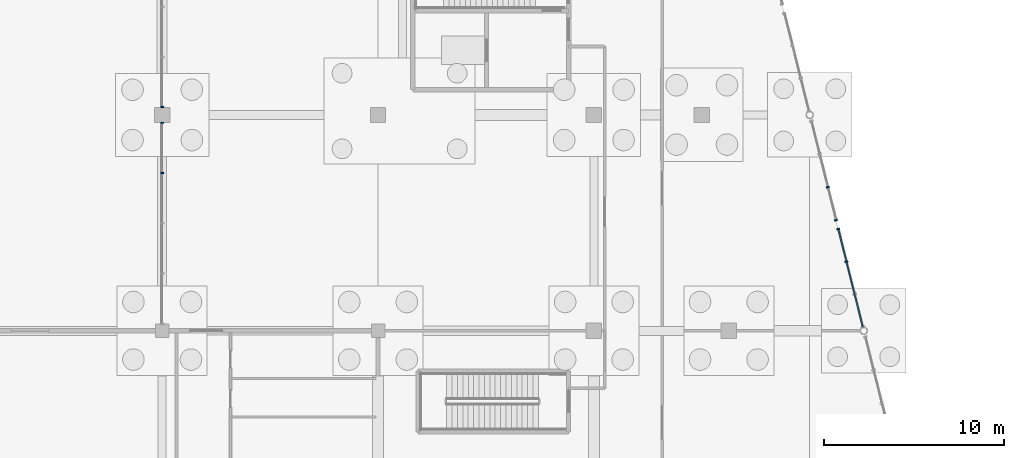
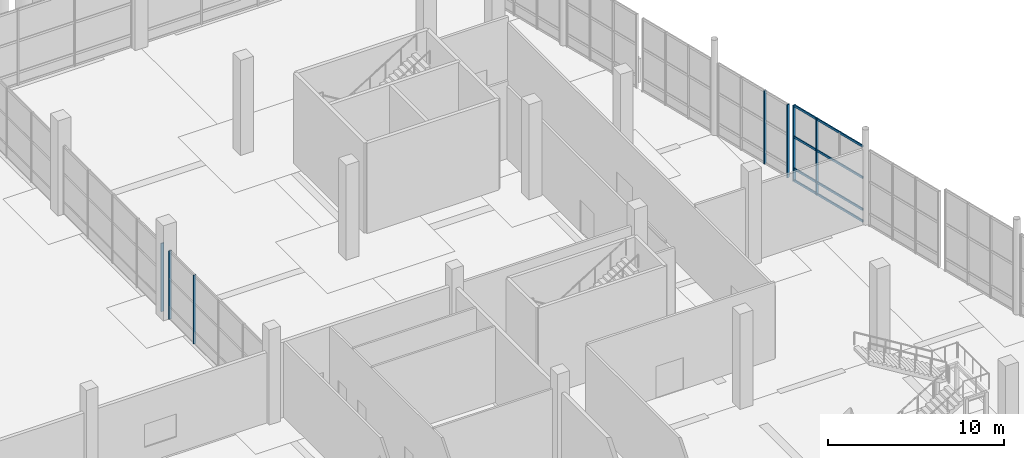
# One storey, part 52 of 117: 11 members, 4 elements without a shape of their own.
"""IFC4 building model written with IfcOpenShell, lengths in metres."""

import ifcopenshell
import ifcopenshell.guid

model = None  # the IFC model being written
_history = None  # IfcOwnerHistory: only IFC2X3 demands one
_inside = {}  # id of a spatial element -> (the spatial element, [elements in it])
_under = {}  # id of a project, library or spatial element -> (it, [spatial elements below it])
_declared = {}  # id of a project -> (the project, [libraries it declares])
_typed = {}  # id of a type object -> (the type object, [elements of that type])
_made_of = {}  # id of a material, layer set ... -> (it, [elements and type objects made of it])


def new_model(schema):
    """Start an empty IFC model of exactly this schema.

    Asked for "IFC4X3", IfcOpenShell would pick the latest addendum, in which some entities
    have other attributes; the version numbers below select the first issue.
    IFC2X3 requires an IfcOwnerHistory on every rooted entity: one is made here for all.
    """
    global model, _history
    if schema == "IFC4X3":
        model = ifcopenshell.file(schema_version=(4, 3, 0, 0))
    else:
        model = ifcopenshell.file(schema=schema)
    _inside.clear()
    _under.clear()
    _declared.clear()
    _typed.clear()
    _made_of.clear()
    _history = None
    if model.schema == "IFC2X3":
        org = make("IfcOrganization", Name="unknown")
        user = make(
            "IfcPersonAndOrganization",
            ThePerson=make("IfcPerson", FamilyName="unknown"),
            TheOrganization=org,
        )
        app = make(
            "IfcApplication",
            ApplicationDeveloper=org,
            Version="unknown",
            ApplicationFullName="unknown",
            ApplicationIdentifier="unknown",
        )
        _history = make(
            "IfcOwnerHistory",
            OwningUser=user,
            OwningApplication=app,
            ChangeAction="ADDED",
            CreationDate=0,
        )
    return model


def make(cls, **values):
    """One entity of the class cls with the attributes given. An attribute that is None is left unset."""
    return model.create_entity(
        cls, **{name: value for name, value in values.items() if value is not None}
    )


def rooted(cls, **values):
    """An entity with a GlobalId (a new one), such as an element, a storey or a relation."""
    return make(cls, GlobalId=ifcopenshell.guid.new(), OwnerHistory=_history, **values)


def si_unit(unit_type, name, prefix=None):
    """IfcSIUnit, for example si_unit("LENGTHUNIT", "METRE", prefix="MILLI")."""
    return make("IfcSIUnit", UnitType=unit_type, Prefix=prefix, Name=name)


def assignment(units):
    """IfcUnitAssignment: the units of a project."""
    return None if units is None else make("IfcUnitAssignment", Units=units)


def point(xyz):
    """IfcCartesianPoint."""
    return None if xyz is None else make("IfcCartesianPoint", Coordinates=xyz)


def direction(xyz):
    """IfcDirection."""
    return None if xyz is None else make("IfcDirection", DirectionRatios=xyz)


def frame(location, z_axis=None, x_axis=None):
    """IfcAxis2Placement3D, a coordinate frame: its origin and axes. An axis left out is left unset."""
    return make(
        "IfcAxis2Placement3D",
        Location=point(location),
        Axis=direction(z_axis),
        RefDirection=direction(x_axis),
    )


def frame_2d(location, x_axis=None):
    """IfcAxis2Placement2D, a coordinate frame in the plane: its origin and x axis."""
    return make(
        "IfcAxis2Placement2D", Location=point(location), RefDirection=direction(x_axis)
    )


def origin():
    """The frame at (0, 0, 0) with its axes left unset."""
    return frame((0.0, 0.0, 0.0))


def origin_2d():
    """The frame at (0, 0) in the plane with its x axis left unset."""
    return frame_2d((0.0, 0.0))


def place(relative_to, where):
    """IfcLocalPlacement: puts the frame where relative to a parent placement (None: the world)."""
    return make(
        "IfcLocalPlacement", PlacementRelTo=relative_to, RelativePlacement=where
    )


def context(
    kind, dimensions, precision=None, world=None, true_north=None, identifier=None
):
    """IfcGeometricRepresentationContext, for example the 3D "Model" context."""
    return make(
        "IfcGeometricRepresentationContext",
        ContextIdentifier=identifier,
        ContextType=kind,
        CoordinateSpaceDimension=dimensions,
        Precision=precision,
        WorldCoordinateSystem=world,
        TrueNorth=true_north,
    )


def subcontext(parent, identifier, kind, view, scale=None):
    """IfcGeometricRepresentationSubContext, for example "Body" below "Model"."""
    return make(
        "IfcGeometricRepresentationSubContext",
        ContextIdentifier=identifier,
        ContextType=kind,
        ParentContext=parent,
        TargetScale=scale,
        TargetView=view,
    )


def project(units=None, contexts=None):
    """IfcProject with its units and contexts."""
    return rooted(
        "IfcProject",
        Name="project",
        RepresentationContexts=contexts,
        UnitsInContext=assignment(units),
    )


def spatial(cls, under=None, at=None, **own):
    """A site, building, storey or space (cls), placed at a placement, below another one or the project."""
    s = rooted(cls, ObjectPlacement=at, **own)
    if under is not None:
        _under.setdefault(under.id(), (under, []))[1].append(s)
    return s


def profile(cls, at=None, kind="AREA", **sizes):
    """A parametric profile (cls). Its sizes go by their IFC names, for example OverallWidth=200.0."""
    return make(cls, ProfileType=kind, Position=at, **sizes)


def rectangle(**sizes):
    """IfcRectangleProfileDef."""
    return profile("IfcRectangleProfileDef", **sizes)


def extrude(swept, where, along, depth):
    """IfcExtrudedAreaSolid: the profile swept, set in the frame where, extruded along a direction by depth."""
    return make(
        "IfcExtrudedAreaSolid",
        SweptArea=swept,
        Position=where,
        ExtrudedDirection=direction(along),
        Depth=depth,
    )


def shape(context_of_items, identifier, shape_type, items):
    """IfcShapeRepresentation: the items that make up one representation, for example the "Body"."""
    return make(
        "IfcShapeRepresentation",
        ContextOfItems=context_of_items,
        RepresentationIdentifier=identifier,
        RepresentationType=shape_type,
        Items=items,
    )


def material(Name=None, Category=None):
    """IfcMaterial."""
    return make("IfcMaterial", Name=Name, Category=Category)


def material_profile(
    of_material, cross_section, Name=None, Category=None, Priority=None
):
    """IfcMaterialProfile: a cross section and its material."""
    return make(
        "IfcMaterialProfile",
        Name=Name,
        Material=of_material,
        Profile=cross_section,
        Priority=Priority,
        Category=Category,
    )


def profile_set(profiles, Name=None, composite=None):
    """IfcMaterialProfileSet."""
    return make(
        "IfcMaterialProfileSet",
        Name=Name,
        MaterialProfiles=profiles,
        CompositeProfile=composite,
    )


def made_of(thing, what):
    """Note that an element or type object is made of a material, layer set ...; save() writes the relation."""
    if what is not None:
        _made_of.setdefault(what.id(), (what, []))[1].append(thing)
    return thing


def type_object(cls, material=None, **own):
    """A type object (cls), such as IfcWallType, which elements share."""
    return made_of(rooted(cls, **own), material)


def element(
    cls,
    number,
    at=None,
    inside=None,
    cuts=None,
    type_object=None,
    material=None,
    context=None,
    identifier="Body",
    shape_type=None,
    held_by="IfcProductDefinitionShape",
    body=None,
    shapes=None,
    **own,
):
    """One element of the class cls, such as IfcWall. Its Tag is "e" and its number.

    at: its placement. inside: the storey or other place that contains it. cuts: it is an
    opening in that element (IfcRelVoidsElement). A single representation is given by context,
    identifier, shape_type and body (its items); several are given by shapes. held_by: the class
    of the entity that holds the representations. save() writes the other relations.
    """
    e = rooted(cls, Tag="e%d" % number, ObjectPlacement=at, **own)
    if body is not None:
        shapes = [shape(context, identifier, shape_type, body)]
    if shapes is not None:
        e.Representation = make(held_by, Representations=shapes)
    if inside is not None:
        _inside.setdefault(inside.id(), (inside, []))[1].append(e)
    if cuts is not None:
        rooted(
            "IfcRelVoidsElement", RelatingBuildingElement=cuts, RelatedOpeningElement=e
        )
    if type_object is not None:
        _typed.setdefault(type_object.id(), (type_object, []))[1].append(e)
    return made_of(e, material)


def aggregate(whole, parts):
    """IfcRelAggregates: a whole, such as a stair, and the parts it consists of."""
    return rooted("IfcRelAggregates", RelatingObject=whole, RelatedObjects=parts)


def save(model, path):
    """Write the relations noted so far, then the file.

    IfcRelAggregates (storeys below a building ...), IfcRelContainedInSpatialStructure (elements
    in a storey), IfcRelDefinesByType, IfcRelAssociatesMaterial and IfcRelDeclares: one each for
    every whole, place, type object, material and project.
    """
    for whole, parts in _under.values():
        aggregate(whole, parts)
    for where, things in _inside.values():
        rooted(
            "IfcRelContainedInSpatialStructure",
            RelatedElements=things,
            RelatingStructure=where,
        )
    for kind, things in _typed.values():
        rooted("IfcRelDefinesByType", RelatedObjects=things, RelatingType=kind)
    for what, things in _made_of.values():
        rooted("IfcRelAssociatesMaterial", RelatedObjects=things, RelatingMaterial=what)
    for by, libraries in _declared.values():
        rooted("IfcRelDeclares", RelatingContext=by, RelatedDefinitions=libraries)
    model.write(path)


model = new_model("IFC4")

# Units and contexts
model_context = context("Model", 3, precision=1e-05, world=origin(), true_north=direction((0.0, 1.0)))
body_context = subcontext(model_context, "Body", "Model", "MODEL_VIEW")
ifc_project = project(units=[si_unit("LENGTHUNIT", "METRE"), si_unit("AREAUNIT", "SQUARE_METRE"), si_unit("VOLUMEUNIT", "CUBIC_METRE"), si_unit("PLANEANGLEUNIT", "RADIAN"), si_unit("MASSUNIT", "GRAM", prefix="KILO")], contexts=[model_context])

# Site, building, storey
site_placement = place(None, origin())
site = spatial("IfcSite", under=ifc_project, at=site_placement, CompositionType="ELEMENT")
building_placement = place(site_placement, origin())
building = spatial("IfcBuilding", under=site, at=building_placement, Name="Kamomehara Wholesale Market", CompositionType="ELEMENT")
storey_placement = place(building_placement, origin())
storey = spatial("IfcBuildingStorey", under=building, at=storey_placement, Name="L00", CompositionType="ELEMENT", Elevation=0.0)

# Curtain wall, members
ifc_material_1 = material(Name="Anodised aluminium 6063-T5", Category="aluminium")
curtain_wall_type_1 = type_object("IfcCurtainWallType", Name="CW-UN-09", PredefinedType="NOTDEFINED", material=ifc_material_1)
curtain_wall_1_placement = place(storey_placement, origin())
curtain_wall_1 = element("IfcCurtainWall", 1, at=curtain_wall_1_placement, inside=storey, type_object=curtain_wall_type_1, Name="Unitised curtain wall CW-165", PredefinedType="NOTDEFINED")
ifc_material_2 = material(Name="Anodised aluminium 6063-T5", Category="aluminium")
ifc_material_profile_1 = material_profile(ifc_material_2, rectangle(XDim=0.074951171875, YDim=0.179931640625, at=origin_2d()), Name="ALU-MUL-75x180")
ifc_profile_set_1 = profile_set([ifc_material_profile_1], Name="Anodised aluminium 6063-T5")
member_type_1 = type_object("IfcMemberType", Name="CW-MUL-180", PredefinedType="MULLION", material=ifc_profile_set_1)
member_1_placement = place(storey_placement, frame((193.00390625, 67.98388671875, 0.0), z_axis=(0.0, 0.0, 1.0), x_axis=(0.242617855844, -0.97012193874, 0.0)))
member_1 = element("IfcMember", 2, at=member_1_placement, type_object=member_type_1, Name="Mullion CW-165.2", PredefinedType="MULLION", context=body_context, shape_type="SweptSolid", body=[
    extrude(rectangle(XDim=0.074951171875, YDim=0.179931640625, at=origin_2d()), origin(), (0.0, 0.0, 1.0), 5.077880859375),
])
member_2_placement = place(storey_placement, frame((193.464111328125, 66.14599609375, 0.0), z_axis=(0.0, 0.0, 1.0), x_axis=(0.242617855844, -0.97012193874, 0.0)))
member_2 = element("IfcMember", 3, at=member_2_placement, type_object=member_type_1, Name="Mullion CW-165.3", PredefinedType="MULLION", context=body_context, shape_type="SweptSolid", body=[
    extrude(rectangle(XDim=0.074951171875, YDim=0.179931640625, at=origin_2d()), origin(), (0.0, 0.0, 1.0), 5.077880859375),
])
aggregate(curtain_wall_1, [member_1, member_2])

curtain_wall_2_placement = place(storey_placement, origin())
curtain_wall_2 = element("IfcCurtainWall", 4, at=curtain_wall_2_placement, inside=storey, type_object=curtain_wall_type_1, Name="Unitised curtain wall CW-166", PredefinedType="NOTDEFINED")
member_3_placement = place(storey_placement, frame((193.5849609375, 65.659912109375, 0.0), z_axis=(0.0, 0.0, 1.0), x_axis=(0.242494251575, -0.970152842573, 0.0)))
member_3 = element("IfcMember", 5, at=member_3_placement, type_object=member_type_1, Name="Mullion CW-166.0", PredefinedType="MULLION", context=body_context, shape_type="SweptSolid", body=[
    extrude(rectangle(XDim=0.074951171875, YDim=0.179931640625, at=origin_2d()), origin(), (0.0, 0.0, 1.0), 5.278076171875),
])
member_4_placement = place(storey_placement, frame((194.0390625, 63.842041015625, 0.0), z_axis=(0.0, 0.0, 1.0), x_axis=(0.242494251575, -0.970152842573, 0.0)))
member_4 = element("IfcMember", 6, at=member_4_placement, type_object=member_type_1, Name="Mullion CW-166.1", PredefinedType="MULLION", context=body_context, shape_type="SweptSolid", body=[
    extrude(rectangle(XDim=0.074951171875, YDim=0.179931640625, at=origin_2d()), origin(), (0.0, 0.0, 1.0), 5.278076171875),
])

ifc_material_3 = material(Name="Anodised aluminium 6063-T5", Category="aluminium")
curtain_wall_type_2 = type_object("IfcCurtainWallType", Name="CW-UN-01", PredefinedType="NOTDEFINED", material=ifc_material_3)
curtain_wall_3_placement = place(storey_placement, origin())
curtain_wall_3 = element("IfcCurtainWall", 7, at=curtain_wall_3_placement, inside=storey, type_object=curtain_wall_type_2, Name="Unitised curtain wall CW-174", PredefinedType="NOTDEFINED")
member_5_placement = place(storey_placement, frame((156.0, 68.77001953125, 0.0), z_axis=(0.0, 0.0, 1.0), x_axis=(0.0, 1.0, 0.0)))
member_5 = element("IfcMember", 8, at=member_5_placement, type_object=member_type_1, Name="Mullion CW-174.3", PredefinedType="MULLION", context=body_context, shape_type="SweptSolid", body=[
    extrude(rectangle(XDim=0.074951171875, YDim=0.179931640625, at=origin_2d()), origin(), (0.0, 0.0, 1.0), 4.748046875),
])
member_6_placement = place(storey_placement, frame((156.0, 71.56494140625, 0.0), z_axis=(0.0, 0.0, 1.0), x_axis=(0.0, 1.0, 0.0)))
member_6 = element("IfcMember", 9, at=member_6_placement, type_object=member_type_1, Name="Mullion CW-174.4", PredefinedType="MULLION", context=body_context, shape_type="SweptSolid", body=[
    extrude(rectangle(XDim=0.074951171875, YDim=0.179931640625, at=origin_2d()), origin(), (0.0, 0.0, 1.0), 4.748046875),
])
aggregate(curtain_wall_3, [member_5, member_6])

# Curtain wall, member
curtain_wall_4_placement = place(storey_placement, origin())
curtain_wall_4 = element("IfcCurtainWall", 10, at=curtain_wall_4_placement, inside=storey, type_object=curtain_wall_type_2, Name="Unitised curtain wall CW-175", PredefinedType="NOTDEFINED")
member_7_placement = place(storey_placement, frame((156.0, 72.43505859375, 0.0), z_axis=(0.0, 0.0, 1.0), x_axis=(0.0, 1.0, 0.0)))
member_7 = element("IfcMember", 11, at=member_7_placement, type_object=member_type_1, Name="Mullion CW-175.0", PredefinedType="MULLION", context=body_context, shape_type="SweptSolid", body=[
    extrude(rectangle(XDim=0.074951171875, YDim=0.179931640625, at=origin_2d()), origin(), (0.0, 0.0, 1.0), 4.748046875),
])
aggregate(curtain_wall_4, [member_7])

# Member
ifc_material_4 = material(Name="Anodised aluminium 6063-T5", Category="aluminium")
ifc_material_profile_2 = material_profile(ifc_material_4, rectangle(XDim=0.074951171875, YDim=0.14990234375, at=origin_2d()), Name="ALU-TRN-75x150")
ifc_profile_set_2 = profile_set([ifc_material_profile_2], Name="Anodised aluminium 6063-T5")
member_type_2 = type_object("IfcMemberType", Name="CW-TRN-150", PredefinedType="USERDEFINED", material=ifc_profile_set_2)
member_8_placement = place(storey_placement, frame((193.5849609375, 65.659912109375, 0.0400390625), z_axis=(0.242504963985, -0.970150164893, 0.0), x_axis=(0.970150164893, 0.242504963985, 0.0)))
member_8 = element("IfcMember", 12, at=member_8_placement, type_object=member_type_2, Name="Transom CW-166.0", ObjectType="TRANSOM", PredefinedType="USERDEFINED", context=body_context, shape_type="SweptSolid", body=[
    extrude(rectangle(XDim=0.074951171875, YDim=0.14990234375, at=origin_2d()), origin(), (0.0, 0.0, 1.0), 5.62060546875),
])

member_9_placement = place(storey_placement, frame((193.5849609375, 65.659912109375, 0.85009765625), z_axis=(0.242504963985, -0.970150164893, 0.0), x_axis=(0.970150164893, 0.242504963985, 0.0)))
member_9 = element("IfcMember", 13, at=member_9_placement, type_object=member_type_2, Name="Transom CW-166.1", ObjectType="TRANSOM", PredefinedType="USERDEFINED", context=body_context, shape_type="SweptSolid", body=[
    extrude(rectangle(XDim=0.074951171875, YDim=0.14990234375, at=origin_2d()), origin(), (0.0, 0.0, 1.0), 5.62060546875),
])

member_10_placement = place(storey_placement, frame((193.5849609375, 65.659912109375, 3.06396484375), z_axis=(0.242504963985, -0.970150164893, 0.0), x_axis=(0.970150164893, 0.242504963985, 0.0)))
member_10 = element("IfcMember", 14, at=member_10_placement, type_object=member_type_2, Name="Transom CW-166.2", ObjectType="TRANSOM", PredefinedType="USERDEFINED", context=body_context, shape_type="SweptSolid", body=[
    extrude(rectangle(XDim=0.074951171875, YDim=0.14990234375, at=origin_2d()), origin(), (0.0, 0.0, 1.0), 5.62060546875),
])

member_11_placement = place(storey_placement, frame((193.5849609375, 65.659912109375, 5.238037109375), z_axis=(0.242504963985, -0.970150164893, 0.0), x_axis=(0.970150164893, 0.242504963985, 0.0)))
member_11 = element("IfcMember", 15, at=member_11_placement, type_object=member_type_2, Name="Transom CW-166.3", ObjectType="TRANSOM", PredefinedType="USERDEFINED", context=body_context, shape_type="SweptSolid", body=[
    extrude(rectangle(XDim=0.074951171875, YDim=0.14990234375, at=origin_2d()), origin(), (0.0, 0.0, 1.0), 5.62060546875),
])

aggregate(curtain_wall_2, [member_3, member_4, member_8, member_9, member_10, member_11])

save(model, "model.ifc")
